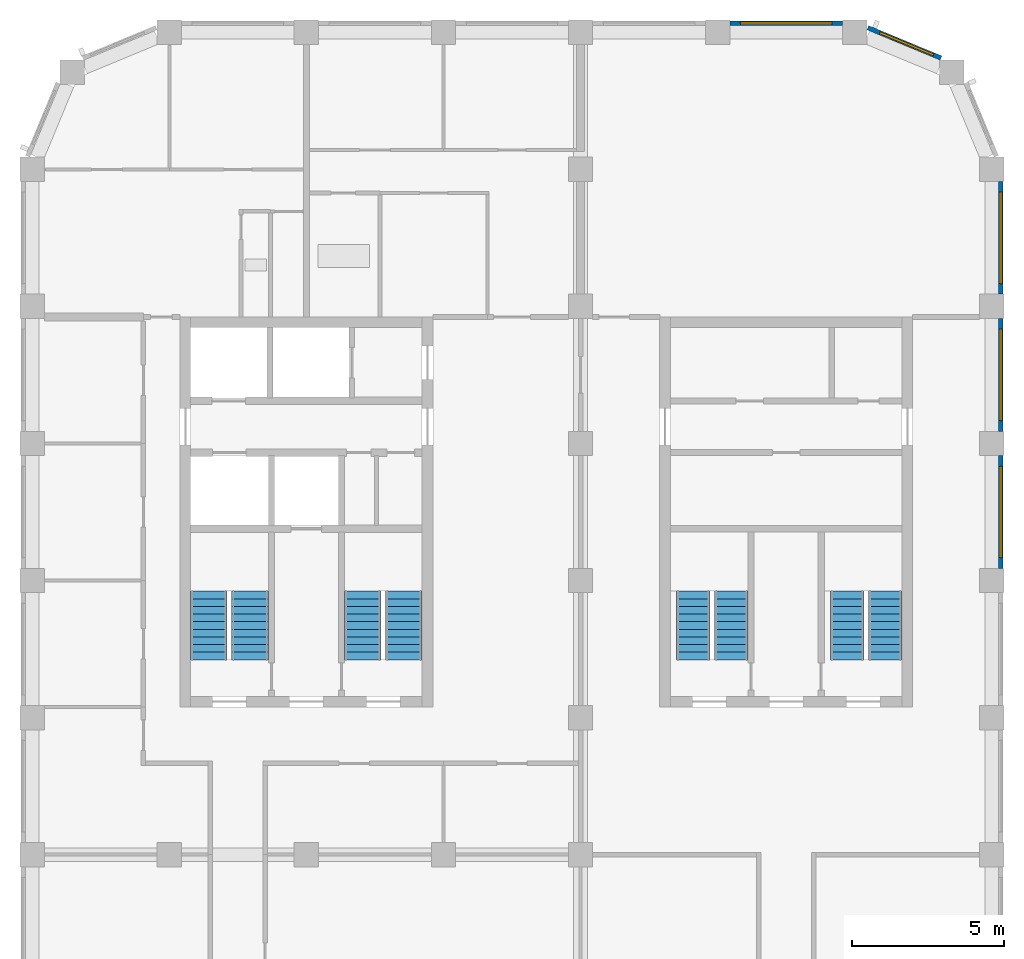
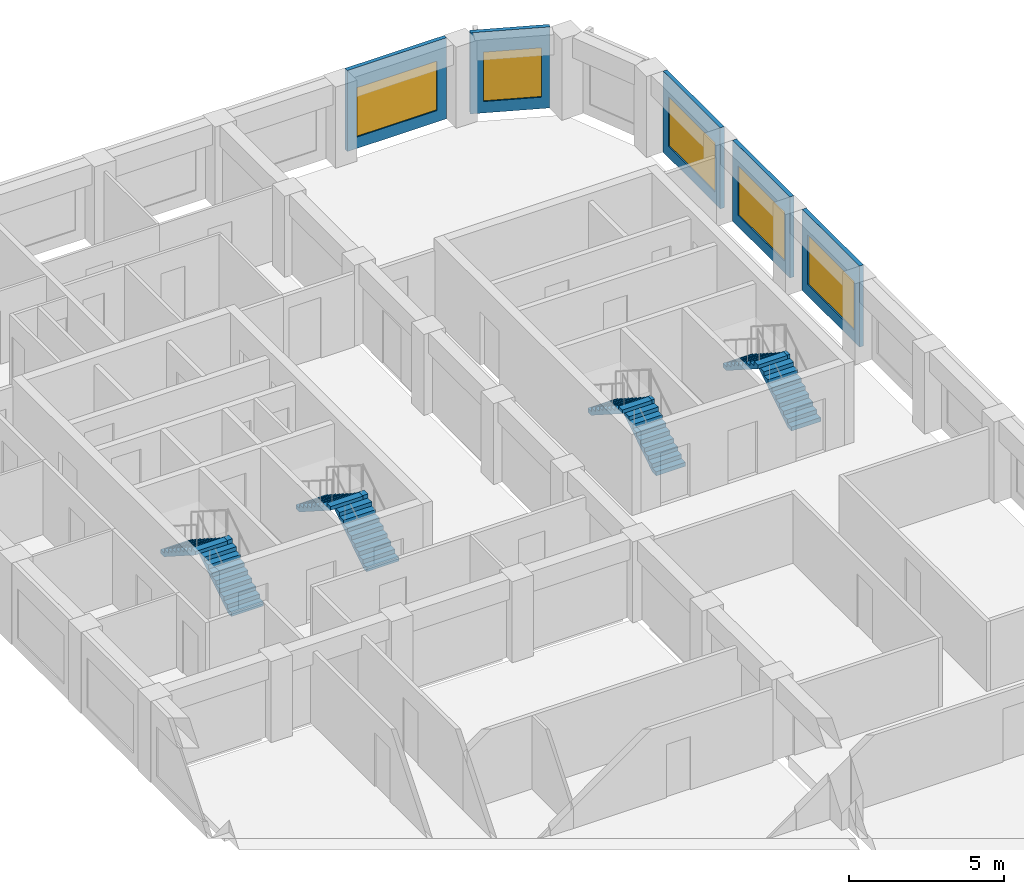
# One storey, part 7 of 9: 8 stair flights, 5 walls, 5 windows, 5 openings, 4 elements without a shape of their own.
"""IFC4 building model written with IfcOpenShell, lengths in metres."""

from ifc_helpers import new_model, si_unit, direction, frame, frame_2d, origin, place, context, subcontext, project, spatial, polyline, rectangle, outline, extrude, material, layer, layer_set, type_object, element, fill, aggregate, save


model = new_model("IFC4")

# Units and contexts
model_context = context("Model", 3, precision=1e-05, world=origin(), true_north=direction((0.0, 1.0)))
body_context = subcontext(model_context, "Body", "Model", "MODEL_VIEW")
ifc_project = project(units=[si_unit("LENGTHUNIT", "METRE"), si_unit("AREAUNIT", "SQUARE_METRE"), si_unit("VOLUMEUNIT", "CUBIC_METRE"), si_unit("PLANEANGLEUNIT", "RADIAN"), si_unit("MASSUNIT", "GRAM", prefix="KILO")], contexts=[model_context])

# Site, building, storey
site_placement = place(None, origin())
site = spatial("IfcSite", under=ifc_project, at=site_placement, CompositionType="ELEMENT")
building_placement = place(site_placement, origin())
building = spatial("IfcBuilding", under=site, at=building_placement, Name="Girih Gate Residences", CompositionType="ELEMENT")
storey_placement = place(building_placement, frame((0.0, 0.0, 219.695068359375)))
storey = spatial("IfcBuildingStorey", under=building, at=storey_placement, Name="L61", CompositionType="ELEMENT", Elevation=219.695068359375)

# Wall, opening, window
ifc_material_1 = material(Name="Precast concrete C50/60", Category="concrete")
ifc_layer_1 = layer(ifc_material_1, 0.050048828125, Name="Outer leaf")
ifc_material_2 = material(Name="Rigid PIR insulation")
ifc_layer_2 = layer(ifc_material_2, 0.06005859375, Name="Insulation")
ifc_material_3 = material(Name="Precast concrete C40/50", Category="concrete")
ifc_layer_3 = layer(ifc_material_3, 0.0400390625, Name="Inner leaf")
ifc_layer_set = layer_set([ifc_layer_1, ifc_layer_2, ifc_layer_3], Name="Precast concrete C50/60 external wall 150")
wall_type = type_object("IfcWallType", Name="Precast concrete C50/60 external wall 150", PredefinedType="SOLIDWALL", material=ifc_layer_set)
wall_1_placement = place(storey_placement, frame((31.800048828125, 35.60009765625, 0.0), z_axis=(0.0, 0.0, 1.0), x_axis=(0.0, -1.0, 0.0)))
wall_1 = element("IfcWall", 1, at=wall_1_placement, inside=storey, type_object=wall_type, Name="External wall E0315_0045.6", PredefinedType="SOLIDWALL", context=body_context, shape_type="SweptSolid", body=[
    extrude(rectangle(XDim=3.7001953125, YDim=0.14990234375, at=frame_2d((1.85009765625, 0.0))), origin(), (0.0, 0.0, 1.0), 3.199951171875),
])
opening_1_placement = place(wall_1_placement, frame((0.35009765625, 0.0, 0.449951171875)))
opening_1 = element("IfcOpeningElement", 2, at=opening_1_placement, cuts=wall_1, Name="Opening W-1D", PredefinedType="OPENING", context=body_context, shape_type="SweptSolid", body=[
    extrude(rectangle(XDim=3.0, YDim=1.949951171875, at=frame_2d((1.5, 0.97509765625))), frame((0.0, 0.0849609375, 0.0), z_axis=(0.0, -1.0, 0.0), x_axis=(1.0, 0.0, 0.0)), (0.0, 0.0, 1.0), 0.169921875),
])
ifc_material_4 = material(Name="Double glazing in aluminium frame", Category="aluminium")
window_type_1 = type_object("IfcWindowType", Name="Window W-1D 3000x1950", PartitioningType="SINGLE_PANEL", PredefinedType="WINDOW", material=ifc_material_4)
window_1_placement = place(opening_1_placement, origin())
window_1 = element("IfcWindow", 3, at=window_1_placement, inside=storey, type_object=window_type_1, Name="Window W-1D E0315_0045.6", OverallHeight=1.949951171875, OverallWidth=3.0, PartitioningType="SINGLE_PANEL", PredefinedType="WINDOW", context=body_context, shape_type="SweptSolid", body=[
    extrude(rectangle(XDim=3.0, YDim=1.949951171875, at=frame_2d((1.5, 0.97509765625))), frame((0.0, 0.030029296875, 0.0), z_axis=(0.0, -1.0, 0.0), x_axis=(1.0, 0.0, 0.0)), (0.0, 0.0, 1.0), 0.06005859375),
])
fill(opening_1, window_1)

wall_2_placement = place(storey_placement, frame((31.800048828125, 40.10009765625, 0.0), z_axis=(0.0, 0.0, 1.0), x_axis=(0.0, -1.0, 0.0)))
wall_2 = element("IfcWall", 4, at=wall_2_placement, inside=storey, type_object=wall_type, Name="External wall E0315_0045.7", PredefinedType="SOLIDWALL", context=body_context, shape_type="SweptSolid", body=[
    extrude(rectangle(XDim=3.7001953125, YDim=0.14990234375, at=frame_2d((1.85009765625, 0.0))), origin(), (0.0, 0.0, 1.0), 3.199951171875),
])
opening_2_placement = place(wall_2_placement, frame((0.35009765625, 0.0, 0.449951171875)))
opening_2 = element("IfcOpeningElement", 5, at=opening_2_placement, cuts=wall_2, Name="Opening W-1D", PredefinedType="OPENING", context=body_context, shape_type="SweptSolid", body=[
    extrude(rectangle(XDim=3.0, YDim=1.949951171875, at=frame_2d((1.5, 0.97509765625))), frame((0.0, 0.0849609375, 0.0), z_axis=(0.0, -1.0, 0.0), x_axis=(1.0, 0.0, 0.0)), (0.0, 0.0, 1.0), 0.169921875),
])
window_2_placement = place(opening_2_placement, origin())
window_2 = element("IfcWindow", 6, at=window_2_placement, inside=storey, type_object=window_type_1, Name="Window W-1D E0315_0045.7", OverallHeight=1.949951171875, OverallWidth=3.0, PartitioningType="SINGLE_PANEL", PredefinedType="WINDOW", context=body_context, shape_type="SweptSolid", body=[
    extrude(rectangle(XDim=3.0, YDim=1.949951171875, at=frame_2d((1.5, 0.97509765625))), frame((0.0, 0.030029296875, 0.0), z_axis=(0.0, -1.0, 0.0), x_axis=(1.0, 0.0, 0.0)), (0.0, 0.0, 1.0), 0.06005859375),
])
fill(opening_2, window_2)

wall_3_placement = place(storey_placement, frame((31.800048828125, 44.60009765625, 0.0), z_axis=(0.0, 0.0, 1.0), x_axis=(0.0, -1.0, 0.0)))
wall_3 = element("IfcWall", 7, at=wall_3_placement, inside=storey, type_object=wall_type, Name="External wall E0315_0045.8", PredefinedType="SOLIDWALL", context=body_context, shape_type="SweptSolid", body=[
    extrude(rectangle(XDim=3.7001953125, YDim=0.14990234375, at=frame_2d((1.85009765625, 0.0))), origin(), (0.0, 0.0, 1.0), 3.199951171875),
])
opening_3_placement = place(wall_3_placement, frame((0.35009765625, 0.0, 0.449951171875)))
opening_3 = element("IfcOpeningElement", 8, at=opening_3_placement, cuts=wall_3, Name="Opening W-1D", PredefinedType="OPENING", context=body_context, shape_type="SweptSolid", body=[
    extrude(rectangle(XDim=3.0, YDim=1.949951171875, at=frame_2d((1.5, 0.97509765625))), frame((0.0, 0.0849609375, 0.0), z_axis=(0.0, -1.0, 0.0), x_axis=(1.0, 0.0, 0.0)), (0.0, 0.0, 1.0), 0.169921875),
])
window_3_placement = place(opening_3_placement, origin())
window_3 = element("IfcWindow", 9, at=window_3_placement, inside=storey, type_object=window_type_1, Name="Window W-1D E0315_0045.8", OverallHeight=1.949951171875, OverallWidth=3.0, PartitioningType="SINGLE_PANEL", PredefinedType="WINDOW", context=body_context, shape_type="SweptSolid", body=[
    extrude(rectangle(XDim=3.0, YDim=1.949951171875, at=frame_2d((1.5, 0.97509765625))), frame((0.0, 0.030029296875, 0.0), z_axis=(0.0, -1.0, 0.0), x_axis=(1.0, 0.0, 0.0)), (0.0, 0.0, 1.0), 0.06005859375),
])
fill(opening_3, window_3)

wall_4_placement = place(storey_placement, frame((27.4287109375, 49.647216796875, 0.0), z_axis=(0.0, 0.0, 1.0), x_axis=(0.923885342263, -0.382669406082, 0.0)))
wall_4 = element("IfcWall", 10, at=wall_4_placement, inside=storey, type_object=wall_type, Name="External wall NE0302_0482.0", PredefinedType="SOLIDWALL", context=body_context, shape_type="SweptSolid", body=[
    extrude(rectangle(XDim=2.602294921875, YDim=0.14990234375, at=frame_2d((1.30126953125, 0.0))), origin(), (0.0, 0.0, 1.0), 3.199951171875),
])
opening_4_placement = place(wall_4_placement, frame((0.432373046875, 0.0, 0.449951171875)))
opening_4 = element("IfcOpeningElement", 11, at=opening_4_placement, cuts=wall_4, Name="Opening W-2G", PredefinedType="OPENING", context=body_context, shape_type="SweptSolid", body=[
    extrude(rectangle(XDim=1.89990234375, YDim=1.949951171875, at=frame_2d((0.949951171875, 0.97509765625))), frame((0.0, 0.0849609375, 0.0), z_axis=(0.0, -1.0, 0.0), x_axis=(1.0, 0.0, 0.0)), (0.0, 0.0, 1.0), 0.169921875),
])
window_type_2 = type_object("IfcWindowType", Name="Window W-2G 1900x1950", PartitioningType="SINGLE_PANEL", PredefinedType="WINDOW", material=ifc_material_4)
window_4_placement = place(opening_4_placement, origin())
window_4 = element("IfcWindow", 12, at=window_4_placement, inside=storey, type_object=window_type_2, Name="Window W-2G NE0302_0482.0", OverallHeight=1.949951171875, OverallWidth=1.89990234375, PartitioningType="SINGLE_PANEL", PredefinedType="WINDOW", context=body_context, shape_type="SweptSolid", body=[
    extrude(rectangle(XDim=1.89990234375, YDim=1.949951171875, at=frame_2d((0.949951171875, 0.97509765625))), frame((0.0, 0.030029296875, 0.0), z_axis=(0.0, -1.0, 0.0), x_axis=(1.0, 0.0, 0.0)), (0.0, 0.0, 1.0), 0.06005859375),
])
fill(opening_4, window_4)

wall_5_placement = place(storey_placement, frame((22.89990234375, 49.800048828125, 0.0), z_axis=(0.0, 0.0, 1.0), x_axis=(1.0, 0.0, 0.0)))
wall_5 = element("IfcWall", 13, at=wall_5_placement, inside=storey, type_object=wall_type, Name="External wall N0270_0495.0", PredefinedType="SOLIDWALL", context=body_context, shape_type="SweptSolid", body=[
    extrude(rectangle(XDim=3.7001953125, YDim=0.14990234375, at=frame_2d((1.85009765625, 0.0))), origin(), (0.0, 0.0, 1.0), 3.199951171875),
])
opening_5_placement = place(wall_5_placement, frame((0.35009765625, 0.0, 0.449951171875)))
opening_5 = element("IfcOpeningElement", 14, at=opening_5_placement, cuts=wall_5, Name="Opening W-1D", PredefinedType="OPENING", context=body_context, shape_type="SweptSolid", body=[
    extrude(rectangle(XDim=3.0, YDim=1.949951171875, at=frame_2d((1.5, 0.97509765625))), frame((0.0, 0.0849609375, 0.0), z_axis=(0.0, -1.0, 0.0), x_axis=(1.0, 0.0, 0.0)), (0.0, 0.0, 1.0), 0.169921875),
])
window_5_placement = place(opening_5_placement, origin())
window_5 = element("IfcWindow", 15, at=window_5_placement, inside=storey, type_object=window_type_1, Name="Window W-1D N0270_0495.0", OverallHeight=1.949951171875, OverallWidth=3.0, PartitioningType="SINGLE_PANEL", PredefinedType="WINDOW", context=body_context, shape_type="SweptSolid", body=[
    extrude(rectangle(XDim=3.0, YDim=1.949951171875, at=frame_2d((1.5, 0.97509765625))), frame((0.0, 0.030029296875, 0.0), z_axis=(0.0, -1.0, 0.0), x_axis=(1.0, 0.0, 0.0)), (0.0, 0.0, 1.0), 0.06005859375),
])
fill(opening_5, window_5)

# Stair, stair flights
ifc_material_5 = material(Name="Concrete C40/50", Category="concrete")
stair_type_1 = type_object("IfcStairType", Name="Exit stair C core", PredefinedType="HALF_TURN_STAIR", material=ifc_material_5)
stair_1_placement = place(storey_placement, origin())
stair_1 = element("IfcStair", 16, at=stair_1_placement, inside=storey, type_object=stair_type_1, Name="L61 Exit Stair ST-C1", PredefinedType="HALF_TURN_STAIR")
stair_flight_type_1 = type_object("IfcStairFlightType", Name="Stair flight 1100", PredefinedType="STRAIGHT", material=ifc_material_5)
stair_flight_1_placement = place(storey_placement, frame((22.949951171875, 28.89990234375, 0.0), z_axis=(0.0, 0.0, 1.0), x_axis=(0.0, 1.0, 0.0)))
stair_flight_1 = element("IfcStairFlight", 17, at=stair_flight_1_placement, type_object=stair_flight_type_1, Name="ST-C1 flight 1", NumberOfRisers=10, NumberOfTreads=9, PredefinedType="STRAIGHT", RiserHeight=0.16, TreadLength=0.25, context=body_context, shape_type="SweptSolid", body=[
    extrude(outline(polyline([(0.0, 0.0), (0.0, 0.159912109375), (0.25, 0.159912109375), (0.25, 0.320068359375), (0.5, 0.320068359375), (0.5, 0.47998046875), (0.75, 0.47998046875), (0.75, 0.639892578125), (1.0, 0.639892578125), (1.0, 0.800048828125), (1.25, 0.800048828125), (1.25, 0.9599609375), (1.5, 0.9599609375), (1.5, 1.1201171875), (1.75, 1.1201171875), (1.75, 1.280029296875), (2.0, 1.280029296875), (2.0, 1.43994140625), (2.25, 1.43994140625), (2.25, 1.60009765625), (2.25, 1.29736328125), (0.222900390625, 0.0), (0.0, 0.0)])), frame((0.0, 0.550048828125, 0.0), z_axis=(0.0, -1.0, 0.0), x_axis=(1.0, 0.0, 0.0)), (0.0, 0.0, 1.0), 1.10009765625),
])
stair_flight_2_placement = place(storey_placement, frame((21.699951171875, 31.14990234375, 1.599853515625), z_axis=(0.0, 0.0, 1.0), x_axis=(0.0, -1.0, 0.0)))
stair_flight_2 = element("IfcStairFlight", 18, at=stair_flight_2_placement, type_object=stair_flight_type_1, Name="ST-C1 flight 2", NumberOfRisers=10, NumberOfTreads=9, PredefinedType="STRAIGHT", RiserHeight=0.16, TreadLength=0.25, context=body_context, shape_type="SweptSolid", body=[
    extrude(outline(polyline([(0.0, 0.0), (0.0, 0.159912109375), (0.25, 0.159912109375), (0.25, 0.320068359375), (0.5, 0.320068359375), (0.5, 0.47998046875), (0.75, 0.47998046875), (0.75, 0.639892578125), (1.0, 0.639892578125), (1.0, 0.800048828125), (1.25, 0.800048828125), (1.25, 0.9599609375), (1.5, 0.9599609375), (1.5, 1.1201171875), (1.75, 1.1201171875), (1.75, 1.280029296875), (2.0, 1.280029296875), (2.0, 1.43994140625), (2.25, 1.43994140625), (2.25, 1.60009765625), (2.25, 1.29736328125), (0.222900390625, 0.0), (0.0, 0.0)])), frame((0.0, 0.550048828125, 0.0), z_axis=(0.0, -1.0, 0.0), x_axis=(1.0, 0.0, 0.0)), (0.0, 0.0, 1.0), 1.10009765625),
])
aggregate(stair_1, [stair_flight_1, stair_flight_2])

stair_2_placement = place(storey_placement, origin())
stair_2 = element("IfcStair", 19, at=stair_2_placement, inside=storey, type_object=stair_type_1, Name="L61 Exit Stair ST-C2", PredefinedType="HALF_TURN_STAIR")
stair_flight_3_placement = place(storey_placement, frame((28.0, 28.89990234375, 0.0), z_axis=(0.0, 0.0, 1.0), x_axis=(0.0, 1.0, 0.0)))
stair_flight_3 = element("IfcStairFlight", 20, at=stair_flight_3_placement, type_object=stair_flight_type_1, Name="ST-C2 flight 1", NumberOfRisers=10, NumberOfTreads=9, PredefinedType="STRAIGHT", RiserHeight=0.16, TreadLength=0.25, context=body_context, shape_type="SweptSolid", body=[
    extrude(outline(polyline([(0.0, 0.0), (0.0, 0.159912109375), (0.25, 0.159912109375), (0.25, 0.320068359375), (0.5, 0.320068359375), (0.5, 0.47998046875), (0.75, 0.47998046875), (0.75, 0.639892578125), (1.0, 0.639892578125), (1.0, 0.800048828125), (1.25, 0.800048828125), (1.25, 0.9599609375), (1.5, 0.9599609375), (1.5, 1.1201171875), (1.75, 1.1201171875), (1.75, 1.280029296875), (2.0, 1.280029296875), (2.0, 1.43994140625), (2.25, 1.43994140625), (2.25, 1.60009765625), (2.25, 1.29736328125), (0.222900390625, 0.0), (0.0, 0.0)])), frame((0.0, 0.550048828125, 0.0), z_axis=(0.0, -1.0, 0.0), x_axis=(1.0, 0.0, 0.0)), (0.0, 0.0, 1.0), 1.10009765625),
])
stair_flight_4_placement = place(storey_placement, frame((26.75, 31.14990234375, 1.599853515625), z_axis=(0.0, 0.0, 1.0), x_axis=(0.0, -1.0, 0.0)))
stair_flight_4 = element("IfcStairFlight", 21, at=stair_flight_4_placement, type_object=stair_flight_type_1, Name="ST-C2 flight 2", NumberOfRisers=10, NumberOfTreads=9, PredefinedType="STRAIGHT", RiserHeight=0.16, TreadLength=0.25, context=body_context, shape_type="SweptSolid", body=[
    extrude(outline(polyline([(0.0, 0.0), (0.0, 0.159912109375), (0.25, 0.159912109375), (0.25, 0.320068359375), (0.5, 0.320068359375), (0.5, 0.47998046875), (0.75, 0.47998046875), (0.75, 0.639892578125), (1.0, 0.639892578125), (1.0, 0.800048828125), (1.25, 0.800048828125), (1.25, 0.9599609375), (1.5, 0.9599609375), (1.5, 1.1201171875), (1.75, 1.1201171875), (1.75, 1.280029296875), (2.0, 1.280029296875), (2.0, 1.43994140625), (2.25, 1.43994140625), (2.25, 1.60009765625), (2.25, 1.29736328125), (0.222900390625, 0.0), (0.0, 0.0)])), frame((0.0, 0.550048828125, 0.0), z_axis=(0.0, -1.0, 0.0), x_axis=(1.0, 0.0, 0.0)), (0.0, 0.0, 1.0), 1.10009765625),
])
aggregate(stair_2, [stair_flight_3, stair_flight_4])

stair_type_2 = type_object("IfcStairType", Name="Exit stair", PredefinedType="HALF_TURN_STAIR", material=ifc_material_5)
stair_3_placement = place(storey_placement, origin())
stair_3 = element("IfcStair", 22, at=stair_3_placement, inside=storey, type_object=stair_type_2, Name="L61 Exit Stair ST-W1", PredefinedType="HALF_TURN_STAIR")
stair_flight_type_2 = type_object("IfcStairFlightType", Name="Stair flight 1200", PredefinedType="STRAIGHT", material=ifc_material_5)
stair_flight_5_placement = place(storey_placement, frame((7.14990234375, 28.89990234375, 0.0), z_axis=(0.0, 0.0, 1.0), x_axis=(0.0, 1.0, 0.0)))
stair_flight_5 = element("IfcStairFlight", 23, at=stair_flight_5_placement, type_object=stair_flight_type_2, Name="ST-W1 flight 1", NumberOfRisers=10, NumberOfTreads=9, PredefinedType="STRAIGHT", RiserHeight=0.16, TreadLength=0.25, context=body_context, shape_type="SweptSolid", body=[
    extrude(outline(polyline([(0.0, 0.0), (0.0, 0.159912109375), (0.25, 0.159912109375), (0.25, 0.320068359375), (0.5, 0.320068359375), (0.5, 0.47998046875), (0.75, 0.47998046875), (0.75, 0.639892578125), (1.0, 0.639892578125), (1.0, 0.800048828125), (1.25, 0.800048828125), (1.25, 0.9599609375), (1.5, 0.9599609375), (1.5, 1.1201171875), (1.75, 1.1201171875), (1.75, 1.280029296875), (2.0, 1.280029296875), (2.0, 1.43994140625), (2.25, 1.43994140625), (2.25, 1.60009765625), (2.25, 1.29736328125), (0.222900390625, 0.0), (0.0, 0.0)])), frame((0.0, 0.60009765625, 0.0), z_axis=(0.0, -1.0, 0.0), x_axis=(1.0, 0.0, 0.0)), (0.0, 0.0, 1.0), 1.199951171875),
])
stair_flight_6_placement = place(storey_placement, frame((5.800048828125, 31.14990234375, 1.599853515625), z_axis=(0.0, 0.0, 1.0), x_axis=(0.0, -1.0, 0.0)))
stair_flight_6 = element("IfcStairFlight", 24, at=stair_flight_6_placement, type_object=stair_flight_type_2, Name="ST-W1 flight 2", NumberOfRisers=10, NumberOfTreads=9, PredefinedType="STRAIGHT", RiserHeight=0.16, TreadLength=0.25, context=body_context, shape_type="SweptSolid", body=[
    extrude(outline(polyline([(0.0, 0.0), (0.0, 0.159912109375), (0.25, 0.159912109375), (0.25, 0.320068359375), (0.5, 0.320068359375), (0.5, 0.47998046875), (0.75, 0.47998046875), (0.75, 0.639892578125), (1.0, 0.639892578125), (1.0, 0.800048828125), (1.25, 0.800048828125), (1.25, 0.9599609375), (1.5, 0.9599609375), (1.5, 1.1201171875), (1.75, 1.1201171875), (1.75, 1.280029296875), (2.0, 1.280029296875), (2.0, 1.43994140625), (2.25, 1.43994140625), (2.25, 1.60009765625), (2.25, 1.29736328125), (0.222900390625, 0.0), (0.0, 0.0)])), frame((0.0, 0.60009765625, 0.0), z_axis=(0.0, -1.0, 0.0), x_axis=(1.0, 0.0, 0.0)), (0.0, 0.0, 1.0), 1.199951171875),
])
aggregate(stair_3, [stair_flight_5, stair_flight_6])

stair_4_placement = place(storey_placement, origin())
stair_4 = element("IfcStair", 25, at=stair_4_placement, inside=storey, type_object=stair_type_2, Name="L61 Exit Stair ST-W2", PredefinedType="HALF_TURN_STAIR")
stair_flight_7_placement = place(storey_placement, frame((12.199951171875, 28.89990234375, 0.0), z_axis=(0.0, 0.0, 1.0), x_axis=(0.0, 1.0, 0.0)))
stair_flight_7 = element("IfcStairFlight", 26, at=stair_flight_7_placement, type_object=stair_flight_type_2, Name="ST-W2 flight 1", NumberOfRisers=10, NumberOfTreads=9, PredefinedType="STRAIGHT", RiserHeight=0.16, TreadLength=0.25, context=body_context, shape_type="SweptSolid", body=[
    extrude(outline(polyline([(0.0, 0.0), (0.0, 0.159912109375), (0.25, 0.159912109375), (0.25, 0.320068359375), (0.5, 0.320068359375), (0.5, 0.47998046875), (0.75, 0.47998046875), (0.75, 0.639892578125), (1.0, 0.639892578125), (1.0, 0.800048828125), (1.25, 0.800048828125), (1.25, 0.9599609375), (1.5, 0.9599609375), (1.5, 1.1201171875), (1.75, 1.1201171875), (1.75, 1.280029296875), (2.0, 1.280029296875), (2.0, 1.43994140625), (2.25, 1.43994140625), (2.25, 1.60009765625), (2.25, 1.29736328125), (0.222900390625, 0.0), (0.0, 0.0)])), frame((0.0, 0.60009765625, 0.0), z_axis=(0.0, -1.0, 0.0), x_axis=(1.0, 0.0, 0.0)), (0.0, 0.0, 1.0), 1.199951171875),
])
stair_flight_8_placement = place(storey_placement, frame((10.85009765625, 31.14990234375, 1.599853515625), z_axis=(0.0, 0.0, 1.0), x_axis=(0.0, -1.0, 0.0)))
stair_flight_8 = element("IfcStairFlight", 27, at=stair_flight_8_placement, type_object=stair_flight_type_2, Name="ST-W2 flight 2", NumberOfRisers=10, NumberOfTreads=9, PredefinedType="STRAIGHT", RiserHeight=0.16, TreadLength=0.25, context=body_context, shape_type="SweptSolid", body=[
    extrude(outline(polyline([(0.0, 0.0), (0.0, 0.159912109375), (0.25, 0.159912109375), (0.25, 0.320068359375), (0.5, 0.320068359375), (0.5, 0.47998046875), (0.75, 0.47998046875), (0.75, 0.639892578125), (1.0, 0.639892578125), (1.0, 0.800048828125), (1.25, 0.800048828125), (1.25, 0.9599609375), (1.5, 0.9599609375), (1.5, 1.1201171875), (1.75, 1.1201171875), (1.75, 1.280029296875), (2.0, 1.280029296875), (2.0, 1.43994140625), (2.25, 1.43994140625), (2.25, 1.60009765625), (2.25, 1.29736328125), (0.222900390625, 0.0), (0.0, 0.0)])), frame((0.0, 0.60009765625, 0.0), z_axis=(0.0, -1.0, 0.0), x_axis=(1.0, 0.0, 0.0)), (0.0, 0.0, 1.0), 1.199951171875),
])
aggregate(stair_4, [stair_flight_7, stair_flight_8])

save(model, "model.ifc")
